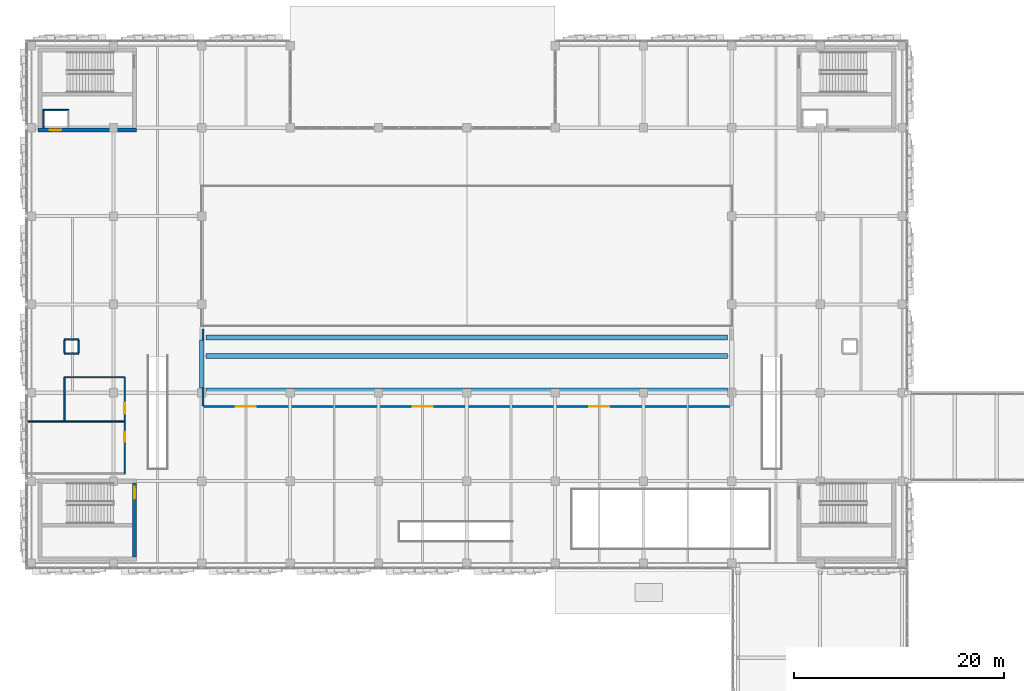
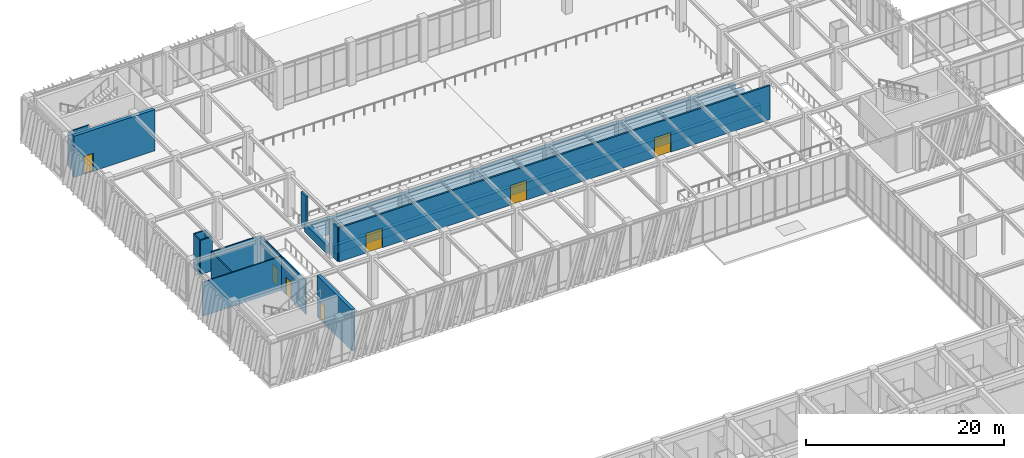
# One storey, part 112 of 139: 20 walls, 7 doors, 7 openings.
"""IFC4 building model written with IfcOpenShell, lengths in metres."""

from ifc_helpers import new_model, si_unit, direction, frame, frame_2d, origin, place, context, subcontext, project, spatial, rectangle, extrude, material, layer, layer_set, type_object, element, fill, save


model = new_model("IFC4")

# Units and contexts
model_context = context("Model", 3, precision=1e-05, world=origin(), true_north=direction((0.0, 1.0)))
body_context = subcontext(model_context, "Body", "Model", "MODEL_VIEW")
ifc_project = project(units=[si_unit("LENGTHUNIT", "METRE"), si_unit("AREAUNIT", "SQUARE_METRE"), si_unit("VOLUMEUNIT", "CUBIC_METRE"), si_unit("PLANEANGLEUNIT", "RADIAN"), si_unit("MASSUNIT", "GRAM", prefix="KILO")], contexts=[model_context])

# Site, building, storey
site_placement = place(None, origin())
site = spatial("IfcSite", under=ifc_project, at=site_placement, CompositionType="ELEMENT")
building_placement = place(site_placement, origin())
building = spatial("IfcBuilding", under=site, at=building_placement, Name="Zayran Congress Hotel", CompositionType="ELEMENT")
storey_placement = place(building_placement, frame((0.0, 0.0, 5.39990234375)))
storey = spatial("IfcBuildingStorey", under=building, at=storey_placement, Name="L01", CompositionType="ELEMENT", Elevation=5.39990234375)

# Walls
ifc_material_1 = material(Name="Concrete C32/40", Category="concrete")
ifc_layer_1 = layer(ifc_material_1, 0.449951171875)
ifc_layer_set_1 = layer_set([ifc_layer_1], Name="Concrete C32/40")
wall_type_1 = type_object("IfcWallType", Name="WL-RT-450", PredefinedType="USERDEFINED", material=ifc_layer_set_1)
for number, where, z_axis, x_axis, name in (
    (1, (25.60009765625, 84.625, 0.0), (0.0, 0.0, 1.0), (1.0, 0.0, 0.0), "RKWALL-L01-BAL-BK"),
    (2, (25.60009765625, 87.89990234375, 0.0), (0.0, 0.0, 1.0), (1.0, 0.0, 0.0), "RKWALL-L01-BAL-MID"),
):
    element("IfcWall", number, at=place(storey_placement, frame(where, z_axis=z_axis, x_axis=x_axis)), inside=storey, type_object=wall_type_1, Name=name, ObjectType="RETAININGWALL", PredefinedType="USERDEFINED", context=body_context, shape_type="SweptSolid", body=[
        extrude(rectangle(XDim=49.599853515625, YDim=0.449951171875, at=frame_2d((24.7998046875, 0.0))), origin(), (0.0, 0.0, 1.0), 1.02001953125),
    ])
wall_1_placement = place(storey_placement, frame((25.60009765625, 89.64990234375, 0.0), z_axis=(0.0, 0.0, 1.0), x_axis=(1.0, 0.0, 0.0)))
element("IfcWall", 3, at=wall_1_placement, inside=storey, type_object=wall_type_1, Name="RKWALL-L01-BAL-FR", ObjectType="RETAININGWALL", PredefinedType="USERDEFINED", context=body_context, shape_type="SweptSolid", body=[
    extrude(rectangle(XDim=49.599853515625, YDim=0.449951171875, at=frame_2d((24.7998046875, 0.0))), origin(), (0.0, 0.0, 1.0), 0.47021484375),
])
wall_2_placement = place(storey_placement, frame((25.199951171875, 84.85009765625, 0.0), z_axis=(0.0, 0.0, 1.0), x_axis=(0.0, 1.0, 0.0)))
element("IfcWall", 4, at=wall_2_placement, inside=storey, type_object=wall_type_1, Name="RKWALL-L01-BAL-SIDE-W", ObjectType="RETAININGWALL", PredefinedType="USERDEFINED", context=body_context, shape_type="SweptSolid", body=[
    extrude(rectangle(XDim=4.56982421875, YDim=0.449951171875, at=frame_2d((2.284912109375, 0.0))), origin(), (0.0, 0.0, 1.0), 1.02001953125),
])

# Wall, opening, door
ifc_material_2 = material(Name="Concrete C40/50", Category="concrete")
ifc_layer_2 = layer(ifc_material_2, 0.39990234375)
ifc_layer_set_2 = layer_set([ifc_layer_2], Name="Concrete C40/50")
wall_type_2 = type_object("IfcWallType", Name="WL-SH-400", PredefinedType="SHEAR", material=ifc_layer_set_2)
wall_3_placement = place(storey_placement, frame((9.60009765625, 109.39990234375, 0.0), z_axis=(0.0, 0.0, 1.0), x_axis=(1.0, 0.0, 0.0)))
wall_3 = element("IfcWall", 5, at=wall_3_placement, inside=storey, type_object=wall_type_2, Name="CWALL-C-V1W-L01-S", PredefinedType="SHEAR", context=body_context, shape_type="SweptSolid", body=[
    extrude(rectangle(XDim=9.39990234375, YDim=0.39990234375, at=frame_2d((4.699951171875, 0.0))), origin(), (0.0, 0.0, 1.0), 5.080078125),
])
opening_1_placement = place(wall_3_placement, frame((1.14990234375, 0.0, 0.0)))
opening_1 = element("IfcOpeningElement", 6, at=opening_1_placement, cuts=wall_3, Name="Opening LD-PL04", PredefinedType="OPENING", context=body_context, shape_type="SweptSolid", body=[
    extrude(rectangle(XDim=1.10009765625, YDim=2.199951171875, at=frame_2d((0.550048828125, 1.10009765625))), frame((0.0, 0.2099609375, 0.0), z_axis=(0.0, -1.0, 0.0), x_axis=(1.0, 0.0, 0.0)), (0.0, 0.0, 1.0), 0.419921875),
])
ifc_material_3 = material(Name="Brushed stainless steel sliding lift landing door", Category="steel")
door_type_1 = type_object("IfcDoorType", Name="TP-DR-LD-01", OperationType="DOUBLE_DOOR_SLIDING", PredefinedType="DOOR", material=ifc_material_3)
door_1_placement = place(opening_1_placement, origin())
door_1 = element("IfcDoor", 7, at=door_1_placement, inside=storey, type_object=door_type_1, Name="Lift PL-04 Sliding Landing Door L01", OperationType="DOUBLE_DOOR_SLIDING", OverallHeight=2.199951171875, OverallWidth=1.10009765625, PredefinedType="DOOR", context=body_context, shape_type="SweptSolid", body=[
    extrude(rectangle(XDim=1.10009765625, YDim=2.199951171875, at=frame_2d((0.550048828125, 1.10009765625))), frame((0.0, 0.02490234375, 0.0), z_axis=(0.0, -1.0, 0.0), x_axis=(1.0, 0.0, 0.0)), (0.0, 0.0, 1.0), 0.050048828125),
])
fill(opening_1, door_1)

wall_4_placement = place(storey_placement, frame((18.800048828125, 68.800048828125, 0.0), z_axis=(0.0, 0.0, 1.0), x_axis=(0.0, 1.0, 0.0)))
wall_4 = element("IfcWall", 8, at=wall_4_placement, inside=storey, type_object=wall_type_2, Name="CWALL-C-V1S-L01-E", PredefinedType="SHEAR", context=body_context, shape_type="SweptSolid", body=[
    extrude(rectangle(XDim=7.0, YDim=0.39990234375, at=frame_2d((3.5, 0.0))), origin(), (0.0, 0.0, 1.0), 5.080078125),
])
opening_2_placement = place(wall_4_placement, frame((5.5, 0.0, 0.0)))
opening_2 = element("IfcOpeningElement", 9, at=opening_2_placement, cuts=wall_4, Name="Opening DR-FD-90", PredefinedType="OPENING", context=body_context, shape_type="SweptSolid", body=[
    extrude(rectangle(XDim=1.14990234375, YDim=2.199951171875, at=frame_2d((0.574951171875, 1.10009765625))), frame((0.0, 0.2099609375, 0.0), z_axis=(0.0, -1.0, 0.0), x_axis=(1.0, 0.0, 0.0)), (0.0, 0.0, 1.0), 0.419921875),
])
ifc_material_4 = material(Name="Painted steel fire door assembly", Category="steel")
door_type_2 = type_object("IfcDoorType", Name="TP-DR-FD-90", OperationType="NOTDEFINED", PredefinedType="DOOR", material=ifc_material_4)
door_2_placement = place(opening_2_placement, origin())
door_2 = element("IfcDoor", 10, at=door_2_placement, inside=storey, type_object=door_type_2, Name="ST-05 Exit Stair Door L01", OperationType="SINGLE_SWING_LEFT", OverallHeight=2.199951171875, OverallWidth=1.14990234375, PredefinedType="DOOR", context=body_context, shape_type="SweptSolid", body=[
    extrude(rectangle(XDim=1.14990234375, YDim=2.199951171875, at=frame_2d((0.574951171875, 1.10009765625))), frame((0.0, 0.02490234375, 0.0), z_axis=(0.0, -1.0, 0.0), x_axis=(1.0, 0.0, 0.0)), (0.0, 0.0, 1.0), 0.050048828125),
])
fill(opening_2, door_2)

# Wall, openings, doors
ifc_material_5 = material(Name="Concrete C32/40 acoustic masonry", Category="masonry")
ifc_layer_3 = layer(ifc_material_5, 0.199951171875)
ifc_layer_set_3 = layer_set([ifc_layer_3], Name="Concrete C32/40 acoustic masonry")
wall_type_3 = type_object("IfcWallType", Name="WL-SL-200", PredefinedType="SOLIDWALL", material=ifc_layer_set_3)
wall_5_placement = place(storey_placement, frame((25.320068359375, 83.10009765625, 0.0), z_axis=(0.0, 0.0, 1.0), x_axis=(1.0, 0.0, 0.0)))
wall_5 = element("IfcWall", 11, at=wall_5_placement, inside=storey, type_object=wall_type_3, Name="IW-L01-0416", PredefinedType="SOLIDWALL", context=body_context, shape_type="SweptSolid", body=[
    extrude(rectangle(XDim=50.159912109375, YDim=0.199951171875, at=frame_2d((25.080078125, 0.0))), origin(), (0.0, 0.0, 1.0), 4.18017578125),
])
opening_3_placement = place(wall_5_placement, frame((3.1298828125, 0.0, 0.0)))
opening_3 = element("IfcOpeningElement", 12, at=opening_3_placement, cuts=wall_5, Name="Opening DR-VP-01", PredefinedType="OPENING", context=body_context, shape_type="SweptSolid", body=[
    extrude(rectangle(XDim=1.89990234375, YDim=2.39990234375, at=frame_2d((0.949951171875, 1.199951171875))), frame((0.0, 0.10986328125, 0.0), z_axis=(0.0, -1.0, 0.0), x_axis=(1.0, 0.0, 0.0)), (0.0, 0.0, 1.0), 0.219970703125),
])
opening_4_placement = place(wall_5_placement, frame((19.929931640625, 0.0, 0.0)))
opening_4 = element("IfcOpeningElement", 13, at=opening_4_placement, cuts=wall_5, Name="Opening DR-VP-01", PredefinedType="OPENING", context=body_context, shape_type="SweptSolid", body=[
    extrude(rectangle(XDim=1.89990234375, YDim=2.39990234375, at=frame_2d((0.949951171875, 1.199951171875))), frame((0.0, 0.10986328125, 0.0), z_axis=(0.0, -1.0, 0.0), x_axis=(1.0, 0.0, 0.0)), (0.0, 0.0, 1.0), 0.219970703125),
])
opening_5_placement = place(wall_5_placement, frame((36.72998046875, 0.0, 0.0)))
opening_5 = element("IfcOpeningElement", 14, at=opening_5_placement, cuts=wall_5, Name="Opening DR-VP-01", PredefinedType="OPENING", context=body_context, shape_type="SweptSolid", body=[
    extrude(rectangle(XDim=1.89990234375, YDim=2.39990234375, at=frame_2d((0.949951171875, 1.199951171875))), frame((0.0, 0.10986328125, 0.0), z_axis=(0.0, -1.0, 0.0), x_axis=(1.0, 0.0, 0.0)), (0.0, 0.0, 1.0), 0.219970703125),
])
ifc_material_6 = material(Name="Acoustic Congress Hall vomitory portal door", Category="steel")
door_type_3 = type_object("IfcDoorType", Name="TP-DR-VP-01", OperationType="DOUBLE_DOOR_SINGLE_SWING", PredefinedType="DOOR", material=ifc_material_6)
door_3_placement = place(opening_3_placement, origin())
door_3 = element("IfcDoor", 15, at=door_3_placement, inside=storey, type_object=door_type_3, Name="Congress Vomitory Portal L01-1", OperationType="DOUBLE_DOOR_SINGLE_SWING", OverallHeight=2.39990234375, OverallWidth=1.89990234375, PredefinedType="DOOR", context=body_context, shape_type="SweptSolid", body=[
    extrude(rectangle(XDim=1.89990234375, YDim=2.39990234375, at=frame_2d((0.949951171875, 1.199951171875))), frame((0.0, 0.02490234375, 0.0), z_axis=(0.0, -1.0, 0.0), x_axis=(1.0, 0.0, 0.0)), (0.0, 0.0, 1.0), 0.050048828125),
])
fill(opening_3, door_3)
door_4_placement = place(opening_4_placement, origin())
door_4 = element("IfcDoor", 16, at=door_4_placement, inside=storey, type_object=door_type_3, Name="Congress Vomitory Portal L01-2", OperationType="DOUBLE_DOOR_SINGLE_SWING", OverallHeight=2.39990234375, OverallWidth=1.89990234375, PredefinedType="DOOR", context=body_context, shape_type="SweptSolid", body=[
    extrude(rectangle(XDim=1.89990234375, YDim=2.39990234375, at=frame_2d((0.949951171875, 1.199951171875))), frame((0.0, 0.02490234375, 0.0), z_axis=(0.0, -1.0, 0.0), x_axis=(1.0, 0.0, 0.0)), (0.0, 0.0, 1.0), 0.050048828125),
])
fill(opening_4, door_4)
door_5_placement = place(opening_5_placement, origin())
door_5 = element("IfcDoor", 17, at=door_5_placement, inside=storey, type_object=door_type_3, Name="Congress Vomitory Portal L01-3", OperationType="DOUBLE_DOOR_SINGLE_SWING", OverallHeight=2.39990234375, OverallWidth=1.89990234375, PredefinedType="DOOR", context=body_context, shape_type="SweptSolid", body=[
    extrude(rectangle(XDim=1.89990234375, YDim=2.39990234375, at=frame_2d((0.949951171875, 1.199951171875))), frame((0.0, 0.02490234375, 0.0), z_axis=(0.0, -1.0, 0.0), x_axis=(1.0, 0.0, 0.0)), (0.0, 0.0, 1.0), 0.050048828125),
])
fill(opening_5, door_5)

# Walls
wall_6_placement = place(storey_placement, frame((25.300048828125, 83.1201171875, 0.0), z_axis=(0.0, 0.0, 1.0), x_axis=(0.0, 1.0, 0.0)))
element("IfcWall", 18, at=wall_6_placement, inside=storey, type_object=wall_type_3, Name="IW-L01-1692", PredefinedType="SOLIDWALL", context=body_context, shape_type="SweptSolid", body=[
    extrude(rectangle(XDim=1.72998046875, YDim=0.199951171875, at=frame_2d((0.864990234375, 0.0))), origin(), (0.0, 0.0, 1.0), 4.18017578125),
])
wall_7_placement = place(storey_placement, frame((25.300048828125, 89.419921875, 0.0), z_axis=(0.0, 0.0, 1.0), x_axis=(0.0, 1.0, 0.0)))
element("IfcWall", 19, at=wall_7_placement, inside=storey, type_object=wall_type_3, Name="IW-L01-1693", PredefinedType="SOLIDWALL", context=body_context, shape_type="SweptSolid", body=[
    extrude(rectangle(XDim=1.06005859375, YDim=0.199951171875, at=frame_2d((0.530029296875, 0.0))), origin(), (0.0, 0.0, 1.0), 4.18017578125),
])
ifc_material_7 = material(Name="Hospitality guestroom acoustic partition", Category="gypsum")
ifc_layer_4 = layer(ifc_material_7, 0.139892578125)
ifc_layer_set_4 = layer_set([ifc_layer_4], Name="Hospitality guestroom acoustic partition")
wall_type_4 = type_object("IfcWallType", Name="WL-PT-140", PredefinedType="PARTITIONING", material=ifc_layer_set_4)
wall_8_placement = place(storey_placement, frame((10.1298828125, 109.60009765625, 0.0), z_axis=(0.0, 0.0, 1.0), x_axis=(0.0, 1.0, 0.0)))
element("IfcWall", 20, at=wall_8_placement, inside=storey, type_object=wall_type_4, Name="LSHW-C-V1W-L01-W", PredefinedType="PARTITIONING", context=body_context, shape_type="SweptSolid", body=[
    extrude(rectangle(XDim=1.599853515625, YDim=0.139892578125, at=frame_2d((0.7998046875, 0.0))), origin(), (0.0, 0.0, 1.0), 4.22998046875),
])
wall_9_placement = place(storey_placement, frame((10.06005859375, 111.27001953125, 0.0), z_axis=(0.0, 0.0, 1.0), x_axis=(1.0, 0.0, 0.0)))
element("IfcWall", 21, at=wall_9_placement, inside=storey, type_object=wall_type_4, Name="LSHW-C-V1W-L01-N", PredefinedType="PARTITIONING", context=body_context, shape_type="SweptSolid", body=[
    extrude(rectangle(XDim=2.47998046875, YDim=0.139892578125, at=frame_2d((1.239990234375, 0.0))), origin(), (0.0, 0.0, 1.0), 4.22998046875),
])
for number, where, z_axis, x_axis, name in (
    (22, (12.1298828125, 88.1298828125, 0.0), (0.0, 0.0, 1.0), (1.0, 0.0, 0.0), "RSWL-V1-L01-003-S"),
    (23, (13.489990234375, 89.449951171875, 0.0), (0.0, 0.0, 1.0), (-1.0, 0.0, 0.0), "RSWL-V1-L01-003-N"),
):
    element("IfcWall", number, at=place(storey_placement, frame(where, z_axis=z_axis, x_axis=x_axis)), inside=storey, type_object=wall_type_4, Name=name, PredefinedType="PARTITIONING", context=body_context, shape_type="SweptSolid", body=[
        extrude(rectangle(XDim=1.360107421875, YDim=0.139892578125, at=frame_2d((0.68017578125, 0.0))), origin(), (0.0, 0.0, 1.0), 4.2001953125),
    ])
for number, where, z_axis, x_axis, name in (
    (24, (12.1298828125, 89.3798828125, 0.0), (0.0, 0.0, 1.0), (0.0, -1.0, 0.0), "RSWL-V1-L01-003-W"),
    (25, (13.489990234375, 88.199951171875, 0.0), (0.0, 0.0, 1.0), (0.0, 1.0, 0.0), "RSWL-V1-L01-003-E"),
):
    element("IfcWall", number, at=place(storey_placement, frame(where, z_axis=z_axis, x_axis=x_axis)), inside=storey, type_object=wall_type_4, Name=name, PredefinedType="PARTITIONING", context=body_context, shape_type="SweptSolid", body=[
        extrude(rectangle(XDim=1.179931640625, YDim=0.139892578125, at=frame_2d((0.58984375, 0.0))), origin(), (0.0, 0.0, 1.0), 4.2001953125),
    ])

# Wall, opening, door
ifc_material_8 = material(Name="Moisture-resistant bathroom partition", Category="gypsum")
ifc_layer_5 = layer(ifc_material_8, 0.1201171875)
ifc_layer_set_5 = layer_set([ifc_layer_5], Name="Moisture-resistant bathroom partition")
wall_type_5 = type_object("IfcWallType", Name="WL-PT-120", PredefinedType="PARTITIONING", material=ifc_layer_set_5)
wall_10_placement = place(storey_placement, frame((17.8701171875, 76.719970703125, 0.0), z_axis=(0.0, 0.0, 1.0), x_axis=(0.0, 1.0, 0.0)))
wall_10 = element("IfcWall", 26, at=wall_10_placement, inside=storey, type_object=wall_type_5, Name="IW-L01-0347", PredefinedType="PARTITIONING", context=body_context, shape_type="SweptSolid", body=[
    extrude(rectangle(XDim=4.9599609375, YDim=0.1201171875, at=frame_2d((2.47998046875, 0.0))), origin(), (0.0, 0.0, 1.0), 4.18017578125),
])
opening_6_placement = place(wall_10_placement, frame((3.006103515625, 0.0, 0.0)))
opening_6 = element("IfcOpeningElement", 27, at=opening_6_placement, cuts=wall_10, Name="Opening DR-WC-01", PredefinedType="OPENING", context=body_context, shape_type="SweptSolid", body=[
    extrude(rectangle(XDim=0.919921875, YDim=2.14990234375, at=frame_2d((0.4599609375, 1.074951171875))), frame((0.0, 0.070068359375, 0.0), z_axis=(0.0, -1.0, 0.0), x_axis=(1.0, 0.0, 0.0)), (0.0, 0.0, 1.0), 0.14013671875),
])
ifc_material_9 = material(Name="Laminated timber public washroom door", Category="wood")
door_type_4 = type_object("IfcDoorType", Name="TP-DR-WC-01", OperationType="NOTDEFINED", PredefinedType="DOOR", material=ifc_material_9)
door_6_placement = place(opening_6_placement, origin())
door_6 = element("IfcDoor", 28, at=door_6_placement, inside=storey, type_object=door_type_4, Name="Public WC L01 Congress Door", OperationType="SINGLE_SWING_RIGHT", OverallHeight=2.14990234375, OverallWidth=0.919921875, PredefinedType="DOOR", context=body_context, shape_type="SweptSolid", body=[
    extrude(rectangle(XDim=0.919921875, YDim=2.14990234375, at=frame_2d((0.4599609375, 1.074951171875))), frame((0.0, 0.02490234375, 0.0), z_axis=(0.0, -1.0, 0.0), x_axis=(1.0, 0.0, 0.0)), (0.0, 0.0, 1.0), 0.050048828125),
])
fill(opening_6, door_6)

wall_11_placement = place(storey_placement, frame((17.8701171875, 81.719970703125, 0.0), z_axis=(0.0, 0.0, 1.0), x_axis=(0.0, 1.0, 0.0)))
wall_11 = element("IfcWall", 29, at=wall_11_placement, inside=storey, type_object=wall_type_5, Name="IW-L01-0348", PredefinedType="PARTITIONING", context=body_context, shape_type="SweptSolid", body=[
    extrude(rectangle(XDim=4.159912109375, YDim=0.1201171875, at=frame_2d((2.080078125, 0.0))), origin(), (0.0, 0.0, 1.0), 4.18017578125),
])
opening_7_placement = place(wall_11_placement, frame((0.679931640625, 0.0, 0.0)))
opening_7 = element("IfcOpeningElement", 30, at=opening_7_placement, cuts=wall_11, Name="Opening DR-WC-02", PredefinedType="OPENING", context=body_context, shape_type="SweptSolid", body=[
    extrude(rectangle(XDim=1.0400390625, YDim=2.14990234375, at=frame_2d((0.52001953125, 1.074951171875))), frame((0.0, 0.070068359375, 0.0), z_axis=(0.0, -1.0, 0.0), x_axis=(1.0, 0.0, 0.0)), (0.0, 0.0, 1.0), 0.14013671875),
])
ifc_material_10 = material(Name="Accessible public washroom door", Category="steel")
door_type_5 = type_object("IfcDoorType", Name="TP-DR-WC-02", OperationType="NOTDEFINED", PredefinedType="DOOR", material=ifc_material_10)
door_7_placement = place(opening_7_placement, origin())
door_7 = element("IfcDoor", 31, at=door_7_placement, inside=storey, type_object=door_type_5, Name="Accessible WC L01 Congress Door", OperationType="SINGLE_SWING_LEFT", OverallHeight=2.14990234375, OverallWidth=1.0400390625, PredefinedType="DOOR", context=body_context, shape_type="SweptSolid", body=[
    extrude(rectangle(XDim=1.0400390625, YDim=2.14990234375, at=frame_2d((0.52001953125, 1.074951171875))), frame((0.0, 0.02490234375, 0.0), z_axis=(0.0, -1.0, 0.0), x_axis=(1.0, 0.0, 0.0)), (0.0, 0.0, 1.0), 0.050048828125),
])
fill(opening_7, door_7)

# Walls
wall_12_placement = place(storey_placement, frame((8.639892578125, 81.669921875, 0.0), z_axis=(0.0, 0.0, 1.0), x_axis=(1.0, 0.0, 0.0)))
element("IfcWall", 32, at=wall_12_placement, inside=storey, type_object=wall_type_5, Name="IW-L01-1558", PredefinedType="PARTITIONING", context=body_context, shape_type="SweptSolid", body=[
    extrude(rectangle(XDim=9.239990234375, YDim=0.1201171875, at=frame_2d((4.6201171875, 0.0))), origin(), (0.0, 0.0, 1.0), 4.18017578125),
])
wall_13_placement = place(storey_placement, frame((12.1201171875, 85.8701171875, 0.0), z_axis=(0.0, 0.0, 1.0), x_axis=(1.0, 0.0, 0.0)))
element("IfcWall", 33, at=wall_13_placement, inside=storey, type_object=wall_type_5, Name="IW-L01-1559", PredefinedType="PARTITIONING", context=body_context, shape_type="SweptSolid", body=[
    extrude(rectangle(XDim=5.759765625, YDim=0.1201171875, at=frame_2d((2.8798828125, 0.0))), origin(), (0.0, 0.0, 1.0), 4.18017578125),
])
wall_14_placement = place(storey_placement, frame((12.1298828125, 81.719970703125, 0.0), z_axis=(0.0, 0.0, 1.0), x_axis=(0.0, 1.0, 0.0)))
element("IfcWall", 34, at=wall_14_placement, inside=storey, type_object=wall_type_5, Name="IW-L01-1560", PredefinedType="PARTITIONING", context=body_context, shape_type="SweptSolid", body=[
    extrude(rectangle(XDim=4.159912109375, YDim=0.1201171875, at=frame_2d((2.080078125, 0.0))), origin(), (0.0, 0.0, 1.0), 4.18017578125),
])

save(model, "model.ifc")
